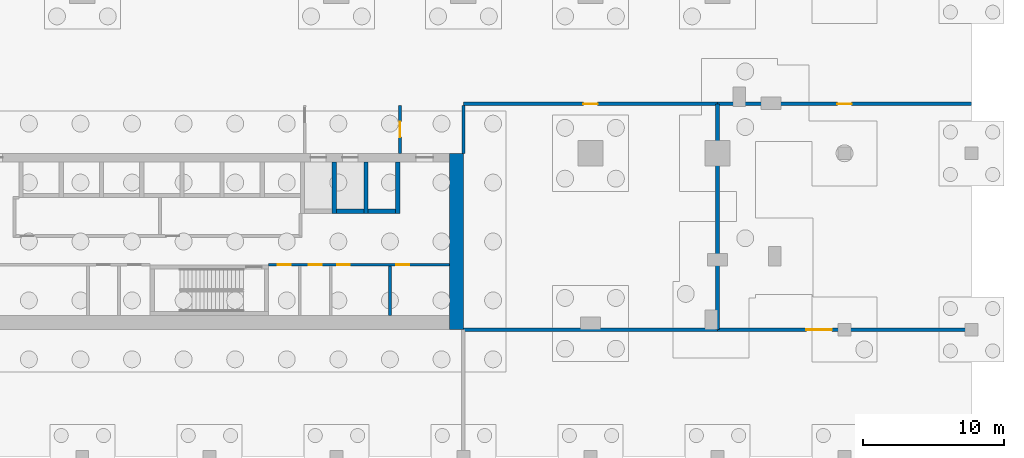
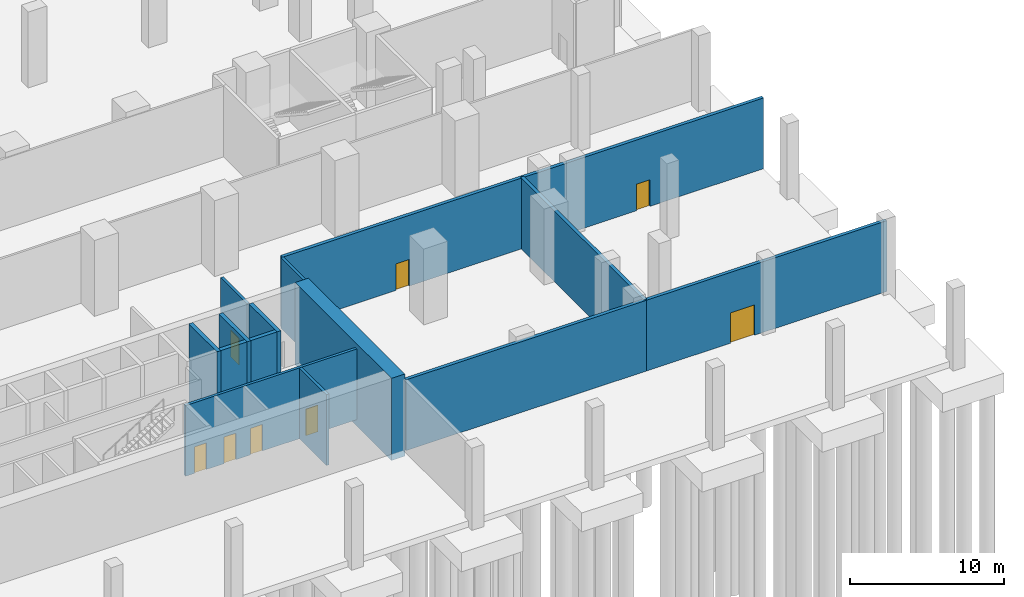
# One storey, part 6 of 9: 15 walls, 8 doors, 8 openings.
"""IFC4 building model written with IfcOpenShell, lengths in metres."""

import ifcopenshell
import ifcopenshell.guid

model = None  # the IFC model being written
_history = None  # IfcOwnerHistory: only IFC2X3 demands one
_inside = {}  # id of a spatial element -> (the spatial element, [elements in it])
_under = {}  # id of a project, library or spatial element -> (it, [spatial elements below it])
_declared = {}  # id of a project -> (the project, [libraries it declares])
_typed = {}  # id of a type object -> (the type object, [elements of that type])
_made_of = {}  # id of a material, layer set ... -> (it, [elements and type objects made of it])


def new_model(schema):
    """Start an empty IFC model of exactly this schema.

    Asked for "IFC4X3", IfcOpenShell would pick the latest addendum, in which some entities
    have other attributes; the version numbers below select the first issue.
    IFC2X3 requires an IfcOwnerHistory on every rooted entity: one is made here for all.
    """
    global model, _history
    if schema == "IFC4X3":
        model = ifcopenshell.file(schema_version=(4, 3, 0, 0))
    else:
        model = ifcopenshell.file(schema=schema)
    _inside.clear()
    _under.clear()
    _declared.clear()
    _typed.clear()
    _made_of.clear()
    _history = None
    if model.schema == "IFC2X3":
        org = make("IfcOrganization", Name="unknown")
        user = make(
            "IfcPersonAndOrganization",
            ThePerson=make("IfcPerson", FamilyName="unknown"),
            TheOrganization=org,
        )
        app = make(
            "IfcApplication",
            ApplicationDeveloper=org,
            Version="unknown",
            ApplicationFullName="unknown",
            ApplicationIdentifier="unknown",
        )
        _history = make(
            "IfcOwnerHistory",
            OwningUser=user,
            OwningApplication=app,
            ChangeAction="ADDED",
            CreationDate=0,
        )
    return model


def make(cls, **values):
    """One entity of the class cls with the attributes given. An attribute that is None is left unset."""
    return model.create_entity(
        cls, **{name: value for name, value in values.items() if value is not None}
    )


def rooted(cls, **values):
    """An entity with a GlobalId (a new one), such as an element, a storey or a relation."""
    return make(cls, GlobalId=ifcopenshell.guid.new(), OwnerHistory=_history, **values)


def si_unit(unit_type, name, prefix=None):
    """IfcSIUnit, for example si_unit("LENGTHUNIT", "METRE", prefix="MILLI")."""
    return make("IfcSIUnit", UnitType=unit_type, Prefix=prefix, Name=name)


def assignment(units):
    """IfcUnitAssignment: the units of a project."""
    return None if units is None else make("IfcUnitAssignment", Units=units)


def point(xyz):
    """IfcCartesianPoint."""
    return None if xyz is None else make("IfcCartesianPoint", Coordinates=xyz)


def direction(xyz):
    """IfcDirection."""
    return None if xyz is None else make("IfcDirection", DirectionRatios=xyz)


def frame(location, z_axis=None, x_axis=None):
    """IfcAxis2Placement3D, a coordinate frame: its origin and axes. An axis left out is left unset."""
    return make(
        "IfcAxis2Placement3D",
        Location=point(location),
        Axis=direction(z_axis),
        RefDirection=direction(x_axis),
    )


def frame_2d(location, x_axis=None):
    """IfcAxis2Placement2D, a coordinate frame in the plane: its origin and x axis."""
    return make(
        "IfcAxis2Placement2D", Location=point(location), RefDirection=direction(x_axis)
    )


def origin():
    """The frame at (0, 0, 0) with its axes left unset."""
    return frame((0.0, 0.0, 0.0))


def place(relative_to, where):
    """IfcLocalPlacement: puts the frame where relative to a parent placement (None: the world)."""
    return make(
        "IfcLocalPlacement", PlacementRelTo=relative_to, RelativePlacement=where
    )


def context(
    kind, dimensions, precision=None, world=None, true_north=None, identifier=None
):
    """IfcGeometricRepresentationContext, for example the 3D "Model" context."""
    return make(
        "IfcGeometricRepresentationContext",
        ContextIdentifier=identifier,
        ContextType=kind,
        CoordinateSpaceDimension=dimensions,
        Precision=precision,
        WorldCoordinateSystem=world,
        TrueNorth=true_north,
    )


def subcontext(parent, identifier, kind, view, scale=None):
    """IfcGeometricRepresentationSubContext, for example "Body" below "Model"."""
    return make(
        "IfcGeometricRepresentationSubContext",
        ContextIdentifier=identifier,
        ContextType=kind,
        ParentContext=parent,
        TargetScale=scale,
        TargetView=view,
    )


def project(units=None, contexts=None):
    """IfcProject with its units and contexts."""
    return rooted(
        "IfcProject",
        Name="project",
        RepresentationContexts=contexts,
        UnitsInContext=assignment(units),
    )


def spatial(cls, under=None, at=None, **own):
    """A site, building, storey or space (cls), placed at a placement, below another one or the project."""
    s = rooted(cls, ObjectPlacement=at, **own)
    if under is not None:
        _under.setdefault(under.id(), (under, []))[1].append(s)
    return s


def profile(cls, at=None, kind="AREA", **sizes):
    """A parametric profile (cls). Its sizes go by their IFC names, for example OverallWidth=200.0."""
    return make(cls, ProfileType=kind, Position=at, **sizes)


def rectangle(**sizes):
    """IfcRectangleProfileDef."""
    return profile("IfcRectangleProfileDef", **sizes)


def extrude(swept, where, along, depth):
    """IfcExtrudedAreaSolid: the profile swept, set in the frame where, extruded along a direction by depth."""
    return make(
        "IfcExtrudedAreaSolid",
        SweptArea=swept,
        Position=where,
        ExtrudedDirection=direction(along),
        Depth=depth,
    )


def shape(context_of_items, identifier, shape_type, items):
    """IfcShapeRepresentation: the items that make up one representation, for example the "Body"."""
    return make(
        "IfcShapeRepresentation",
        ContextOfItems=context_of_items,
        RepresentationIdentifier=identifier,
        RepresentationType=shape_type,
        Items=items,
    )


def material(Name=None, Category=None):
    """IfcMaterial."""
    return make("IfcMaterial", Name=Name, Category=Category)


def layer(
    of_material, thickness, ventilated=None, Name=None, Category=None, Priority=None
):
    """IfcMaterialLayer: one layer of a wall or slab, of a material (None: an air gap)."""
    return make(
        "IfcMaterialLayer",
        Material=of_material,
        LayerThickness=thickness,
        IsVentilated=ventilated,
        Name=Name,
        Category=Category,
        Priority=Priority,
    )


def layer_set(layers, Name=None):
    """IfcMaterialLayerSet."""
    return make("IfcMaterialLayerSet", MaterialLayers=layers, LayerSetName=Name)


def made_of(thing, what):
    """Note that an element or type object is made of a material, layer set ...; save() writes the relation."""
    if what is not None:
        _made_of.setdefault(what.id(), (what, []))[1].append(thing)
    return thing


def type_object(cls, material=None, **own):
    """A type object (cls), such as IfcWallType, which elements share."""
    return made_of(rooted(cls, **own), material)


def element(
    cls,
    number,
    at=None,
    inside=None,
    cuts=None,
    type_object=None,
    material=None,
    context=None,
    identifier="Body",
    shape_type=None,
    held_by="IfcProductDefinitionShape",
    body=None,
    shapes=None,
    **own,
):
    """One element of the class cls, such as IfcWall. Its Tag is "e" and its number.

    at: its placement. inside: the storey or other place that contains it. cuts: it is an
    opening in that element (IfcRelVoidsElement). A single representation is given by context,
    identifier, shape_type and body (its items); several are given by shapes. held_by: the class
    of the entity that holds the representations. save() writes the other relations.
    """
    e = rooted(cls, Tag="e%d" % number, ObjectPlacement=at, **own)
    if body is not None:
        shapes = [shape(context, identifier, shape_type, body)]
    if shapes is not None:
        e.Representation = make(held_by, Representations=shapes)
    if inside is not None:
        _inside.setdefault(inside.id(), (inside, []))[1].append(e)
    if cuts is not None:
        rooted(
            "IfcRelVoidsElement", RelatingBuildingElement=cuts, RelatedOpeningElement=e
        )
    if type_object is not None:
        _typed.setdefault(type_object.id(), (type_object, []))[1].append(e)
    return made_of(e, material)


def fill(opening, filler):
    """IfcRelFillsElement: the door or window that sits in an opening."""
    return rooted(
        "IfcRelFillsElement",
        RelatingOpeningElement=opening,
        RelatedBuildingElement=filler,
    )


def aggregate(whole, parts):
    """IfcRelAggregates: a whole, such as a stair, and the parts it consists of."""
    return rooted("IfcRelAggregates", RelatingObject=whole, RelatedObjects=parts)


def save(model, path):
    """Write the relations noted so far, then the file.

    IfcRelAggregates (storeys below a building ...), IfcRelContainedInSpatialStructure (elements
    in a storey), IfcRelDefinesByType, IfcRelAssociatesMaterial and IfcRelDeclares: one each for
    every whole, place, type object, material and project.
    """
    for whole, parts in _under.values():
        aggregate(whole, parts)
    for where, things in _inside.values():
        rooted(
            "IfcRelContainedInSpatialStructure",
            RelatedElements=things,
            RelatingStructure=where,
        )
    for kind, things in _typed.values():
        rooted("IfcRelDefinesByType", RelatedObjects=things, RelatingType=kind)
    for what, things in _made_of.values():
        rooted("IfcRelAssociatesMaterial", RelatedObjects=things, RelatingMaterial=what)
    for by, libraries in _declared.values():
        rooted("IfcRelDeclares", RelatingContext=by, RelatedDefinitions=libraries)
    model.write(path)


model = new_model("IFC4")

# Units and contexts
model_context = context("Model", 3, precision=1e-05, world=origin(), true_north=direction((0.0, 1.0)))
body_context = subcontext(model_context, "Body", "Model", "MODEL_VIEW")
ifc_project = project(units=[si_unit("LENGTHUNIT", "METRE"), si_unit("AREAUNIT", "SQUARE_METRE"), si_unit("VOLUMEUNIT", "CUBIC_METRE"), si_unit("PLANEANGLEUNIT", "RADIAN"), si_unit("MASSUNIT", "GRAM", prefix="KILO")], contexts=[model_context])

# Site, building, storey
site_placement = place(None, origin())
site = spatial("IfcSite", under=ifc_project, at=site_placement, CompositionType="ELEMENT")
building_placement = place(site_placement, origin())
building = spatial("IfcBuilding", under=site, at=building_placement, Name="Brigalow Station Residences", CompositionType="ELEMENT")
storey_placement = place(building_placement, frame((0.0, 0.0, -6.0)))
storey = spatial("IfcBuildingStorey", under=building, at=storey_placement, Name="B1", CompositionType="ELEMENT", Elevation=-6.0)

# Walls
ifc_material_1 = material(Name="Concrete C80", Category="concrete")
ifc_layer_1 = layer(ifc_material_1, 1.0)
ifc_layer_set_1 = layer_set([ifc_layer_1], Name="CORE SHEAR WALL 1000 C80")
wall_type_1 = type_object("IfcWallType", Name="CORE SHEAR WALL 1000 C80", PredefinedType="SHEAR", material=ifc_layer_set_1)
wall_1_placement = place(storey_placement, frame((53.5, 0.0, -0.5), z_axis=(0.0, 0.0, 1.0), x_axis=(0.0, 1.0, 0.0)))
element("IfcWall", 1, at=wall_1_placement, inside=storey, type_object=wall_type_1, Name="CORE WALL OUT-E B1", PredefinedType="SHEAR", context=body_context, shape_type="SweptSolid", body=[
    extrude(rectangle(XDim=12.5, YDim=1.0, at=frame_2d((6.25, 0.0))), origin(), (0.0, 0.0, 1.0), 6.5),
])
ifc_material_2 = material(Name="Concrete C80", Category="concrete")
ifc_layer_2 = layer(ifc_material_2, 0.300048828125)
ifc_layer_set_2 = layer_set([ifc_layer_2], Name="CORE SHEAR WALL 300 C80")
wall_type_2 = type_object("IfcWallType", Name="CORE SHEAR WALL 300 C80", PredefinedType="SHEAR", material=ifc_layer_set_2)
wall_2_placement = place(storey_placement, frame((45.0, 8.39990234375, -0.5), z_axis=(0.0, 0.0, 1.0), x_axis=(1.0, 0.0, 0.0)))
element("IfcWall", 2, at=wall_2_placement, inside=storey, type_object=wall_type_2, Name="CORE WALL SH-FF2-S B1", PredefinedType="SHEAR", context=body_context, shape_type="SweptSolid", body=[
    extrude(rectangle(XDim=1.949951171875, YDim=0.300048828125, at=frame_2d((0.97509765625, 0.0))), origin(), (0.0, 0.0, 1.0), 6.5),
])
wall_3_placement = place(storey_placement, frame((44.85009765625, 8.25, -0.5), z_axis=(0.0, 0.0, 1.0), x_axis=(0.0, 1.0, 0.0)))
element("IfcWall", 3, at=wall_3_placement, inside=storey, type_object=wall_type_2, Name="CORE WALL SH-FF2-W B1", PredefinedType="SHEAR", context=body_context, shape_type="SweptSolid", body=[
    extrude(rectangle(XDim=3.64990234375, YDim=0.300048828125, at=frame_2d((1.824951171875, 0.0))), origin(), (0.0, 0.0, 1.0), 6.5),
])
wall_4_placement = place(storey_placement, frame((47.25, 8.39990234375, -0.5), z_axis=(0.0, 0.0, 1.0), x_axis=(1.0, 0.0, 0.0)))
element("IfcWall", 4, at=wall_4_placement, inside=storey, type_object=wall_type_2, Name="CORE WALL SH-SL1-S B1", PredefinedType="SHEAR", context=body_context, shape_type="SweptSolid", body=[
    extrude(rectangle(XDim=1.949951171875, YDim=0.300048828125, at=frame_2d((0.97509765625, 0.0))), origin(), (0.0, 0.0, 1.0), 6.5),
])
for number, where, z_axis, x_axis, name in (
    (5, (47.10009765625, 8.25, -0.5), (0.0, 0.0, 1.0), (0.0, 1.0, 0.0), "CORE WALL SH-SL1-W B1"),
    (6, (49.35009765625, 8.25, -0.5), (0.0, 0.0, 1.0), (0.0, 1.0, 0.0), "CORE WALL SH-SL1-E B1"),
):
    element("IfcWall", number, at=place(storey_placement, frame(where, z_axis=z_axis, x_axis=x_axis)), inside=storey, type_object=wall_type_2, Name=name, PredefinedType="SHEAR", context=body_context, shape_type="SweptSolid", body=[
        extrude(rectangle(XDim=3.64990234375, YDim=0.300048828125, at=frame_2d((1.824951171875, 0.0))), origin(), (0.0, 0.0, 1.0), 6.5),
    ])

# Wall, opening, door
ifc_material_3 = material(Name="Fire-rated plasterboard on steel studs", Category="steel")
ifc_layer_3 = layer(ifc_material_3, 0.25)
ifc_layer_set_3 = layer_set([ifc_layer_3], Name="FIRE PARTITION 250")
wall_type_3 = type_object("IfcWallType", Name="FIRE PARTITION 250", PredefinedType="PARTITIONING", material=ifc_layer_set_3)
wall_5_placement = place(storey_placement, frame((54.0, 16.0, 0.0), z_axis=(0.0, 0.0, 1.0), x_axis=(1.0, 0.0, 0.0)))
wall_5 = element("IfcWall", 7, at=wall_5_placement, inside=storey, type_object=wall_type_3, Name="Fire Partition 250 Station Service Corridor / Station Switch Room", PredefinedType="PARTITIONING", context=body_context, shape_type="SweptSolid", body=[
    extrude(rectangle(XDim=18.0, YDim=0.25, at=frame_2d((9.0, 0.0))), origin(), (0.0, 0.0, 1.0), 5.597900390625),
])
opening_1_placement = place(wall_5_placement, frame((8.5, 0.0, 0.0)))
opening_1 = element("IfcOpeningElement", 8, at=opening_1_placement, cuts=wall_5, Name="Opening D-7010", PredefinedType="OPENING", context=body_context, shape_type="SweptSolid", body=[
    extrude(rectangle(XDim=1.0, YDim=2.10009765625, at=frame_2d((0.5, 1.050048828125))), frame((0.0, 0.135009765625, 0.0), z_axis=(0.0, -1.0, 0.0), x_axis=(1.0, 0.0, 0.0)), (0.0, 0.0, 1.0), 0.27001953125),
])
ifc_material_4 = material(Name="Steel fire door leaf in steel frame", Category="steel")
door_type_1 = type_object("IfcDoorType", Name="DOOR SINGLE 1000 FIRE", OperationType="SINGLE_SWING_LEFT", PredefinedType="DOOR", material=ifc_material_4)
door_1_placement = place(opening_1_placement, frame((1.0, 0.0, 0.0), z_axis=(0.0, 0.0, 1.0), x_axis=(-1.0, 0.0, 0.0)))
door_1 = element("IfcDoor", 9, at=door_1_placement, inside=storey, type_object=door_type_1, Name="Station switch room door", OperationType="SINGLE_SWING_LEFT", OverallHeight=2.10009765625, OverallWidth=1.0, PredefinedType="DOOR", context=body_context, shape_type="SweptSolid", body=[
    extrude(rectangle(XDim=1.0, YDim=2.10009765625, at=frame_2d((0.5, 1.050048828125))), frame((0.0, 0.02490234375, 0.0), z_axis=(0.0, -1.0, 0.0), x_axis=(1.0, 0.0, 0.0)), (0.0, 0.0, 1.0), 0.050048828125),
])
fill(opening_1, door_1)

wall_6_placement = place(storey_placement, frame((72.0, 16.0, 0.0), z_axis=(0.0, 0.0, 1.0), x_axis=(1.0, 0.0, 0.0)))
wall_6 = element("IfcWall", 10, at=wall_6_placement, inside=storey, type_object=wall_type_3, Name="Fire Partition 250 Station Service Corridor / Station Pump Room", PredefinedType="PARTITIONING", context=body_context, shape_type="SweptSolid", body=[
    extrude(rectangle(XDim=18.0, YDim=0.25, at=frame_2d((9.0, 0.0))), origin(), (0.0, 0.0, 1.0), 5.597900390625),
])
opening_2_placement = place(wall_6_placement, frame((8.5, 0.0, 0.0)))
opening_2 = element("IfcOpeningElement", 11, at=opening_2_placement, cuts=wall_6, Name="Opening D-7011", PredefinedType="OPENING", context=body_context, shape_type="SweptSolid", body=[
    extrude(rectangle(XDim=1.0, YDim=2.10009765625, at=frame_2d((0.5, 1.050048828125))), frame((0.0, 0.135009765625, 0.0), z_axis=(0.0, -1.0, 0.0), x_axis=(1.0, 0.0, 0.0)), (0.0, 0.0, 1.0), 0.27001953125),
])
door_2_placement = place(opening_2_placement, frame((1.0, 0.0, 0.0), z_axis=(0.0, 0.0, 1.0), x_axis=(-1.0, 0.0, 0.0)))
door_2 = element("IfcDoor", 12, at=door_2_placement, inside=storey, type_object=door_type_1, Name="Station pump room door", OperationType="SINGLE_SWING_RIGHT", OverallHeight=2.10009765625, OverallWidth=1.0, PredefinedType="DOOR", context=body_context, shape_type="SweptSolid", body=[
    extrude(rectangle(XDim=1.0, YDim=2.10009765625, at=frame_2d((0.5, 1.050048828125))), frame((0.0, 0.02490234375, 0.0), z_axis=(0.0, -1.0, 0.0), x_axis=(1.0, 0.0, 0.0)), (0.0, 0.0, 1.0), 0.050048828125),
])
fill(opening_2, door_2)

# Walls
wall_7_placement = place(storey_placement, frame((72.0, 0.0, 0.0), z_axis=(0.0, 0.0, 1.0), x_axis=(0.0, 1.0, 0.0)))
element("IfcWall", 13, at=wall_7_placement, inside=storey, type_object=wall_type_3, Name="Fire Partition 250 Station Switch Room / Station Pump Room", PredefinedType="PARTITIONING", context=body_context, shape_type="SweptSolid", body=[
    extrude(rectangle(XDim=16.0, YDim=0.25, at=frame_2d((8.0, 0.0))), origin(), (0.0, 0.0, 1.0), 5.597900390625),
])
wall_8_placement = place(storey_placement, frame((54.0, 0.0, 0.0), z_axis=(0.0, 0.0, 1.0), x_axis=(1.0, 0.0, 0.0)))
element("IfcWall", 14, at=wall_8_placement, inside=storey, type_object=wall_type_3, Name="Fire Partition 250 Station Switch Room / Station Store East", PredefinedType="PARTITIONING", context=body_context, shape_type="SweptSolid", body=[
    extrude(rectangle(XDim=18.0, YDim=0.25, at=frame_2d((9.0, 0.0))), origin(), (0.0, 0.0, 1.0), 5.597900390625),
])

# Wall, opening, door
wall_9_placement = place(storey_placement, frame((72.0, 0.0, 0.0), z_axis=(0.0, 0.0, 1.0), x_axis=(1.0, 0.0, 0.0)))
wall_9 = element("IfcWall", 15, at=wall_9_placement, inside=storey, type_object=wall_type_3, Name="Fire Partition 250 Station Pump Room / Station Store East", PredefinedType="PARTITIONING", context=body_context, shape_type="SweptSolid", body=[
    extrude(rectangle(XDim=18.0, YDim=0.25, at=frame_2d((9.0, 0.0))), origin(), (0.0, 0.0, 1.0), 5.597900390625),
])
opening_3_placement = place(wall_9_placement, frame((6.300048828125, 0.0, 0.0)))
opening_3 = element("IfcOpeningElement", 16, at=opening_3_placement, cuts=wall_9, Name="Opening D-7014", PredefinedType="OPENING", context=body_context, shape_type="SweptSolid", body=[
    extrude(rectangle(XDim=1.800048828125, YDim=2.39990234375, at=frame_2d((0.89990234375, 1.199951171875))), frame((0.0, 0.135009765625, 0.0), z_axis=(0.0, -1.0, 0.0), x_axis=(1.0, 0.0, 0.0)), (0.0, 0.0, 1.0), 0.27001953125),
])
ifc_material_5 = material(Name="Steel fire door leaves in steel frame", Category="steel")
door_type_2 = type_object("IfcDoorType", Name="DOOR DOUBLE 1800 FIRE", OperationType="DOUBLE_DOOR_SINGLE_SWING", PredefinedType="DOOR", material=ifc_material_5)
door_3_placement = place(opening_3_placement, origin())
door_3 = element("IfcDoor", 17, at=door_3_placement, inside=storey, type_object=door_type_2, Name="Station store east door", OperationType="DOUBLE_DOOR_SINGLE_SWING", OverallHeight=2.39990234375, OverallWidth=1.800048828125, PredefinedType="DOOR", context=body_context, shape_type="SweptSolid", body=[
    extrude(rectangle(XDim=1.800048828125, YDim=2.39990234375, at=frame_2d((0.89990234375, 1.199951171875))), frame((0.0, 0.02490234375, 0.0), z_axis=(0.0, -1.0, 0.0), x_axis=(1.0, 0.0, 0.0)), (0.0, 0.0, 1.0), 0.050048828125),
])
fill(opening_3, door_3)

# Wall, openings, doors
ifc_material_6 = material(Name="Concrete blockwork", Category="masonry")
ifc_layer_4 = layer(ifc_material_6, 0.199951171875)
ifc_layer_set_4 = layer_set([ifc_layer_4], Name="FIRE RATED CORE PARTITION 200")
wall_type_4 = type_object("IfcWallType", Name="FIRE RATED CORE PARTITION 200", PredefinedType="PARTITIONING", material=ifc_layer_set_4)
wall_10_placement = place(storey_placement, frame((40.199951171875, 4.60009765625, 0.0), z_axis=(0.0, 0.0, 1.0), x_axis=(1.0, 0.0, 0.0)))
wall_10 = element("IfcWall", 18, at=wall_10_placement, inside=storey, type_object=wall_type_4, Name="PW-5002", PredefinedType="PARTITIONING", context=body_context, shape_type="SweptSolid", body=[
    extrude(rectangle(XDim=12.800048828125, YDim=0.199951171875, at=frame_2d((6.39990234375, 0.0))), origin(), (0.0, 0.0, 1.0), 5.597900390625),
])
opening_4_placement = place(wall_10_placement, frame((4.85009765625, 0.0, 0.0)))
opening_4 = element("IfcOpeningElement", 19, at=opening_4_placement, cuts=wall_10, Name="Opening D-5005", PredefinedType="OPENING", context=body_context, shape_type="SweptSolid", body=[
    extrude(rectangle(XDim=0.89990234375, YDim=2.10009765625, at=frame_2d((0.449951171875, 1.050048828125))), frame((0.0, 0.10986328125, 0.0), z_axis=(0.0, -1.0, 0.0), x_axis=(1.0, 0.0, 0.0)), (0.0, 0.0, 1.0), 0.219970703125),
])
opening_5_placement = place(wall_10_placement, frame((9.050048828125, 0.0, 0.0)))
opening_5 = element("IfcOpeningElement", 20, at=opening_5_placement, cuts=wall_10, Name="Opening D-5006", PredefinedType="OPENING", context=body_context, shape_type="SweptSolid", body=[
    extrude(rectangle(XDim=0.89990234375, YDim=2.10009765625, at=frame_2d((0.449951171875, 1.050048828125))), frame((0.0, 0.10986328125, 0.0), z_axis=(0.0, -1.0, 0.0), x_axis=(1.0, 0.0, 0.0)), (0.0, 0.0, 1.0), 0.219970703125),
])
opening_6_placement = place(wall_10_placement, frame((0.64990234375, 0.0, 0.0)))
opening_6 = element("IfcOpeningElement", 21, at=opening_6_placement, cuts=wall_10, Name="Opening D-5009", PredefinedType="OPENING", context=body_context, shape_type="SweptSolid", body=[
    extrude(rectangle(XDim=0.89990234375, YDim=2.10009765625, at=frame_2d((0.449951171875, 1.050048828125))), frame((0.0, 0.10986328125, 0.0), z_axis=(0.0, -1.0, 0.0), x_axis=(1.0, 0.0, 0.0)), (0.0, 0.0, 1.0), 0.219970703125),
])
opening_7_placement = place(wall_10_placement, frame((2.85009765625, 0.0, 0.0)))
opening_7 = element("IfcOpeningElement", 22, at=opening_7_placement, cuts=wall_10, Name="Opening D-5010", PredefinedType="OPENING", context=body_context, shape_type="SweptSolid", body=[
    extrude(rectangle(XDim=0.89990234375, YDim=2.10009765625, at=frame_2d((0.449951171875, 1.050048828125))), frame((0.0, 0.10986328125, 0.0), z_axis=(0.0, -1.0, 0.0), x_axis=(1.0, 0.0, 0.0)), (0.0, 0.0, 1.0), 0.219970703125),
])
ifc_material_7 = material(Name="Steel fire door leaf in steel frame", Category="steel")
door_type_3 = type_object("IfcDoorType", Name="PLANT ROOM DOOR 900 x 2100 FD60", OperationType="SINGLE_SWING_LEFT", PredefinedType="DOOR", material=ifc_material_7)
door_4_placement = place(opening_4_placement, frame((0.89990234375, 0.0, 0.0), z_axis=(0.0, 0.0, 1.0), x_axis=(-1.0, 0.0, 0.0)))
door_4 = element("IfcDoor", 23, at=door_4_placement, inside=storey, type_object=door_type_3, Name="D-5005", OperationType="SINGLE_SWING_RIGHT", OverallHeight=2.10009765625, OverallWidth=0.89990234375, PredefinedType="DOOR", context=body_context, shape_type="SweptSolid", body=[
    extrude(rectangle(XDim=0.89990234375, YDim=2.10009765625, at=frame_2d((0.449951171875, 1.050048828125))), frame((0.0, 0.02490234375, 0.0), z_axis=(0.0, -1.0, 0.0), x_axis=(1.0, 0.0, 0.0)), (0.0, 0.0, 1.0), 0.050048828125),
])
fill(opening_4, door_4)
door_5_placement = place(opening_5_placement, frame((0.89990234375, 0.0, 0.0), z_axis=(0.0, 0.0, 1.0), x_axis=(-1.0, 0.0, 0.0)))
door_5 = element("IfcDoor", 24, at=door_5_placement, inside=storey, type_object=door_type_3, Name="D-5006", OperationType="SINGLE_SWING_RIGHT", OverallHeight=2.10009765625, OverallWidth=0.89990234375, PredefinedType="DOOR", context=body_context, shape_type="SweptSolid", body=[
    extrude(rectangle(XDim=0.89990234375, YDim=2.10009765625, at=frame_2d((0.449951171875, 1.050048828125))), frame((0.0, 0.02490234375, 0.0), z_axis=(0.0, -1.0, 0.0), x_axis=(1.0, 0.0, 0.0)), (0.0, 0.0, 1.0), 0.050048828125),
])
fill(opening_5, door_5)
ifc_material_8 = material(Name="Steel fire door leaf in steel frame", Category="steel")
door_type_4 = type_object("IfcDoorType", Name="RISER ACCESS DOOR 900 x 2100 FD120", OperationType="SINGLE_SWING_LEFT", PredefinedType="DOOR", material=ifc_material_8)
door_6_placement = place(opening_6_placement, frame((0.89990234375, 0.0, 0.0), z_axis=(0.0, 0.0, 1.0), x_axis=(-1.0, 0.0, 0.0)))
door_6 = element("IfcDoor", 25, at=door_6_placement, inside=storey, type_object=door_type_4, Name="D-5009", OperationType="SINGLE_SWING_LEFT", OverallHeight=2.10009765625, OverallWidth=0.89990234375, PredefinedType="DOOR", context=body_context, shape_type="SweptSolid", body=[
    extrude(rectangle(XDim=0.89990234375, YDim=2.10009765625, at=frame_2d((0.449951171875, 1.050048828125))), frame((0.0, 0.02490234375, 0.0), z_axis=(0.0, -1.0, 0.0), x_axis=(1.0, 0.0, 0.0)), (0.0, 0.0, 1.0), 0.050048828125),
])
fill(opening_6, door_6)
door_7_placement = place(opening_7_placement, frame((0.89990234375, 0.0, 0.0), z_axis=(0.0, 0.0, 1.0), x_axis=(-1.0, 0.0, 0.0)))
door_7 = element("IfcDoor", 26, at=door_7_placement, inside=storey, type_object=door_type_4, Name="D-5010", OperationType="SINGLE_SWING_RIGHT", OverallHeight=2.10009765625, OverallWidth=0.89990234375, PredefinedType="DOOR", context=body_context, shape_type="SweptSolid", body=[
    extrude(rectangle(XDim=0.89990234375, YDim=2.10009765625, at=frame_2d((0.449951171875, 1.050048828125))), frame((0.0, 0.02490234375, 0.0), z_axis=(0.0, -1.0, 0.0), x_axis=(1.0, 0.0, 0.0)), (0.0, 0.0, 1.0), 0.050048828125),
])
fill(opening_7, door_7)

# Wall
wall_11_placement = place(storey_placement, frame((48.800048828125, 1.0, 0.0), z_axis=(0.0, 0.0, 1.0), x_axis=(0.0, 1.0, 0.0)))
element("IfcWall", 27, at=wall_11_placement, inside=storey, type_object=wall_type_4, Name="PW-5009", PredefinedType="PARTITIONING", context=body_context, shape_type="SweptSolid", body=[
    extrude(rectangle(XDim=3.5, YDim=0.199951171875, at=frame_2d((1.75, 0.0))), origin(), (0.0, 0.0, 1.0), 5.597900390625),
])

# Wall, opening, door
wall_12_placement = place(storey_placement, frame((49.5, 12.5, 0.0), z_axis=(0.0, 0.0, 1.0), x_axis=(0.0, 1.0, 0.0)))
wall_12 = element("IfcWall", 28, at=wall_12_placement, inside=storey, type_object=wall_type_4, Name="PW-5015", PredefinedType="PARTITIONING", context=body_context, shape_type="SweptSolid", body=[
    extrude(rectangle(XDim=3.39990234375, YDim=0.199951171875, at=frame_2d((1.699951171875, 0.0))), origin(), (0.0, 0.0, 1.0), 5.597900390625),
])
opening_8_placement = place(wall_12_placement, frame((1.14990234375, 0.0, 0.0)))
opening_8 = element("IfcOpeningElement", 29, at=opening_8_placement, cuts=wall_12, Name="Opening D-5014", PredefinedType="OPENING", context=body_context, shape_type="SweptSolid", body=[
    extrude(rectangle(XDim=1.10009765625, YDim=2.10009765625, at=frame_2d((0.550048828125, 1.050048828125))), frame((0.0, 0.10986328125, 0.0), z_axis=(0.0, -1.0, 0.0), x_axis=(1.0, 0.0, 0.0)), (0.0, 0.0, 1.0), 0.219970703125),
])
ifc_material_9 = material(Name="Steel fire door leaf in steel frame", Category="steel")
door_type_5 = type_object("IfcDoorType", Name="LOBBY DOOR 1100 x 2100 FD60S", OperationType="SINGLE_SWING_LEFT", PredefinedType="DOOR", material=ifc_material_9)
door_8_placement = place(opening_8_placement, origin())
door_8 = element("IfcDoor", 30, at=door_8_placement, inside=storey, type_object=door_type_5, Name="D-5014", OperationType="SINGLE_SWING_LEFT", OverallHeight=2.10009765625, OverallWidth=1.10009765625, PredefinedType="DOOR", context=body_context, shape_type="SweptSolid", body=[
    extrude(rectangle(XDim=1.10009765625, YDim=2.10009765625, at=frame_2d((0.550048828125, 1.050048828125))), frame((0.0, 0.02490234375, 0.0), z_axis=(0.0, -1.0, 0.0), x_axis=(1.0, 0.0, 0.0)), (0.0, 0.0, 1.0), 0.050048828125),
])
fill(opening_8, door_8)

# Wall
wall_13_placement = place(storey_placement, frame((54.0, 12.5, 0.0), z_axis=(0.0, 0.0, 1.0), x_axis=(0.0, 1.0, 0.0)))
element("IfcWall", 31, at=wall_13_placement, inside=storey, type_object=wall_type_4, Name="PW-5016", PredefinedType="PARTITIONING", context=body_context, shape_type="SweptSolid", body=[
    extrude(rectangle(XDim=3.39990234375, YDim=0.199951171875, at=frame_2d((1.699951171875, 0.0))), origin(), (0.0, 0.0, 1.0), 5.597900390625),
])

save(model, "model.ifc")
